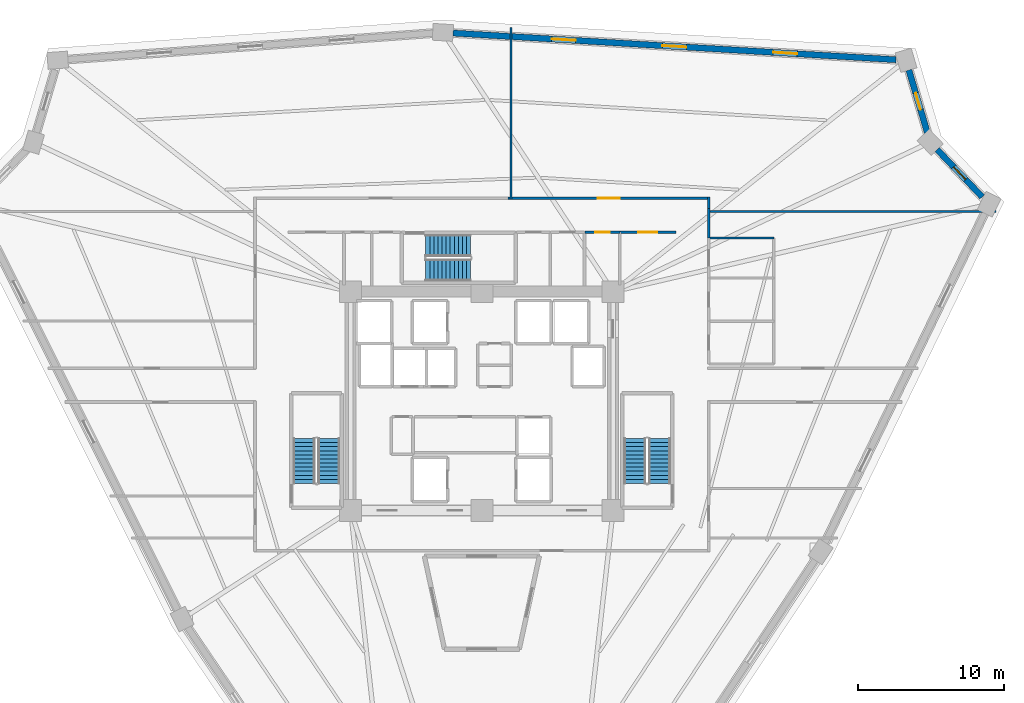
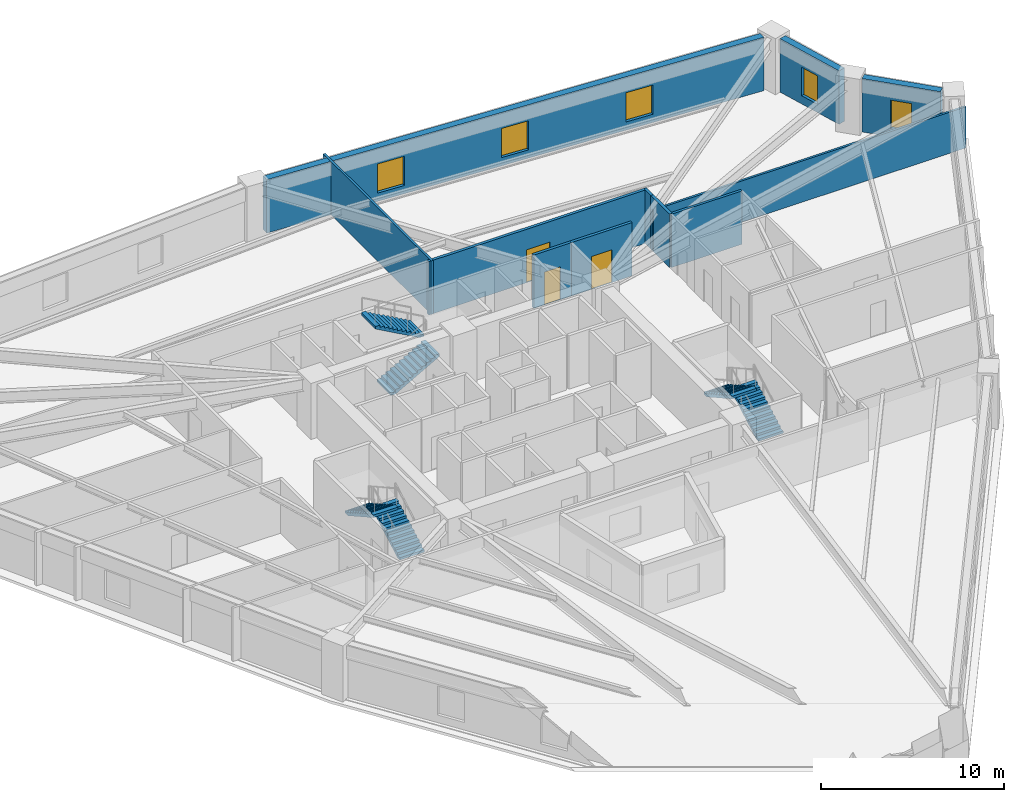
# One storey, part 7 of 10: 11 walls, 6 stair flights, 5 windows, 3 doors, 8 openings, 3 elements without a shape of their own.
"""IFC4 building model written with IfcOpenShell, lengths in metres."""

from ifc_helpers import new_model, si_unit, direction, frame, frame_2d, origin, place, context, subcontext, project, spatial, polyline, rectangle, outline, extrude, source, transform, mapped, material, layer, layer_set, type_object, element, fill, aggregate, save


model = new_model("IFC4")

# Units and contexts
model_context = context("Model", 3, precision=1e-05, world=origin(), true_north=direction((0.0, 1.0)))
body_context = subcontext(model_context, "Body", "Model", "MODEL_VIEW")
ifc_project = project(units=[si_unit("LENGTHUNIT", "METRE"), si_unit("AREAUNIT", "SQUARE_METRE"), si_unit("VOLUMEUNIT", "CUBIC_METRE"), si_unit("PLANEANGLEUNIT", "RADIAN"), si_unit("MASSUNIT", "GRAM", prefix="KILO")], contexts=[model_context])

# Site, building, storey
site_placement = place(None, origin())
site = spatial("IfcSite", under=ifc_project, at=site_placement, CompositionType="ELEMENT")
building_placement = place(site_placement, origin())
building = spatial("IfcBuilding", under=site, at=building_placement, Name="Liaohun Quay Tower", CompositionType="ELEMENT")
storey_placement = place(building_placement, frame((0.0, 0.0, 166.5)))
storey = spatial("IfcBuildingStorey", under=building, at=storey_placement, Name="L43", CompositionType="ELEMENT", Elevation=166.5)

# Wall, opening, window
ifc_material_1 = material(Name="Precast concrete C50 insulated sandwich", Category="concrete")
ifc_layer_1 = layer(ifc_material_1, 0.419921875, Name="Precast concrete C50 insulated sandwich", Category="concrete")
ifc_layer_set_1 = layer_set([ifc_layer_1], Name="Precast concrete C50 insulated sandwich")
wall_type_1 = type_object("IfcWallType", Name="WAL-EXT-Z12", PredefinedType="SOLIDWALL", material=ifc_layer_set_1)
wall_1_placement = place(storey_placement, frame((94.31103515625, 68.0029296875, 0.0), z_axis=(0.0, 0.0, 1.0), x_axis=(-0.689155878993, 0.724613120534, 0.0)))
wall_1 = element("IfcWall", 1, at=wall_1_placement, inside=storey, type_object=wall_type_1, Name="L43 Brutalist Precast Pier Wall 04", PredefinedType="SOLIDWALL", context=body_context, shape_type="SweptSolid", body=[
    extrude(rectangle(XDim=4.482421875, YDim=0.419921875, at=frame_2d((2.2412109375, 0.0))), origin(), (0.0, 0.0, 1.0), 3.570068359375),
])
shared_shape_1 = source(origin(), body_context, "Body", "SweptSolid", [
    extrude(rectangle(XDim=1.199951171875, YDim=1.89990234375, at=frame_2d((0.60009765625, 0.949951171875))), frame((0.0, 0.219970703125, 0.0), z_axis=(0.0, -1.0, 0.0), x_axis=(1.0, 0.0, 0.0)), (0.0, 0.0, 1.0), 0.43994140625),
])
opening_1_placement = place(wall_1_placement, frame((1.64111328125, 0.0, 0.550048828125)))
opening_1 = element("IfcOpeningElement", 2, at=opening_1_placement, cuts=wall_1, Name="Opening W05", PredefinedType="OPENING", context=body_context, shape_type="MappedRepresentation", body=[
    mapped(shared_shape_1, transform((0.0, 0.0, 0.0), x_axis=(1.0, 0.0, 0.0), y_axis=(0.0, 1.0, 0.0), z_axis=(0.0, 0.0, 1.0), scale=1.0)),
])
ifc_material_2 = material(Name="Triple Low-E corner notch glazing", Category="glass")
window_type_1 = type_object("IfcWindowType", Name="WIN-NOTCH", PartitioningType="SINGLE_PANEL", PredefinedType="WINDOW", material=ifc_material_2)
shared_shape_2 = source(origin(), body_context, "Body", "SweptSolid", [
    extrude(rectangle(XDim=1.199951171875, YDim=1.89990234375, at=frame_2d((0.60009765625, 0.949951171875))), frame((0.0, 0.030029296875, 0.0), z_axis=(0.0, -1.0, 0.0), x_axis=(1.0, 0.0, 0.0)), (0.0, 0.0, 1.0), 0.06005859375),
])
window_1_placement = place(opening_1_placement, origin())
window_1 = element("IfcWindow", 3, at=window_1_placement, inside=storey, type_object=window_type_1, Name="L43 Corner Notch Window W05-04", OverallHeight=1.89990234375, OverallWidth=1.199951171875, PartitioningType="SINGLE_PANEL", PredefinedType="WINDOW", context=body_context, shape_type="MappedRepresentation", body=[
    mapped(shared_shape_2, transform((0.0, 0.0, 0.0), x_axis=(1.0, 0.0, 0.0), y_axis=(0.0, 1.0, 0.0), z_axis=(0.0, 0.0, 1.0), scale=1.0)),
])
fill(opening_1, window_1)

wall_2_placement = place(storey_placement, frame((90.551025390625, 72.4130859375, 0.0), z_axis=(0.0, 0.0, 1.0), x_axis=(-0.28308162585, 0.959095820607, 0.0)))
wall_2 = element("IfcWall", 4, at=wall_2_placement, inside=storey, type_object=wall_type_1, Name="L43 Brutalist Precast Pier Wall 05", PredefinedType="SOLIDWALL", context=body_context, shape_type="SweptSolid", body=[
    extrude(rectangle(XDim=4.47607421875, YDim=0.419921875, at=frame_2d((2.238037109375, 0.0))), origin(), (0.0, 0.0, 1.0), 3.570068359375),
])
opening_2_placement = place(wall_2_placement, frame((1.637939453125, 0.0, 0.550048828125)))
opening_2 = element("IfcOpeningElement", 5, at=opening_2_placement, cuts=wall_2, Name="Opening W05", PredefinedType="OPENING", context=body_context, shape_type="MappedRepresentation", body=[
    mapped(shared_shape_1, transform((0.0, 0.0, 0.0), x_axis=(1.0, 0.0, 0.0), y_axis=(0.0, 1.0, 0.0), z_axis=(0.0, 0.0, 1.0), scale=1.0)),
])
window_2_placement = place(opening_2_placement, origin())
window_2 = element("IfcWindow", 6, at=window_2_placement, inside=storey, type_object=window_type_1, Name="L43 Corner Notch Window W05-05", OverallHeight=1.89990234375, OverallWidth=1.199951171875, PartitioningType="SINGLE_PANEL", PredefinedType="WINDOW", context=body_context, shape_type="MappedRepresentation", body=[
    mapped(shared_shape_2, transform((0.0, 0.0, 0.0), x_axis=(1.0, 0.0, 0.0), y_axis=(0.0, 1.0, 0.0), z_axis=(0.0, 0.0, 1.0), scale=1.0)),
])
fill(opening_2, window_2)

# Wall, openings, windows
wall_3_placement = place(storey_placement, frame((88.39990234375, 77.409912109375, 0.0), z_axis=(0.0, 0.0, 1.0), x_axis=(-0.998188812237, 0.060158915591, 0.0)))
wall_3 = element("IfcWall", 7, at=wall_3_placement, inside=storey, type_object=wall_type_1, Name="L43 Brutalist Precast Pier Wall 06", PredefinedType="SOLIDWALL", context=body_context, shape_type="SweptSolid", body=[
    extrude(rectangle(XDim=30.43701171875, YDim=0.419921875, at=frame_2d((15.218505859375, 0.0))), origin(), (0.0, 0.0, 1.0), 3.570068359375),
])
shared_shape_3 = source(origin(), body_context, "Body", "SweptSolid", [
    extrude(rectangle(XDim=1.64990234375, YDim=1.949951171875, at=frame_2d((0.824951171875, 0.97509765625))), frame((0.0, 0.219970703125, 0.0), z_axis=(0.0, -1.0, 0.0), x_axis=(1.0, 0.0, 0.0)), (0.0, 0.0, 1.0), 0.43994140625),
])
opening_3_placement = place(wall_3_placement, frame((6.783935546875, 0.0, 0.550048828125)))
opening_3 = element("IfcOpeningElement", 8, at=opening_3_placement, cuts=wall_3, Name="Opening W02", PredefinedType="OPENING", context=body_context, shape_type="MappedRepresentation", body=[
    mapped(shared_shape_3, transform((0.0, 0.0, 0.0), x_axis=(1.0, 0.0, 0.0), y_axis=(0.0, 1.0, 0.0), z_axis=(0.0, 0.0, 1.0), scale=1.0)),
])
opening_4_placement = place(wall_3_placement, frame((14.39404296875, 0.0, 0.550048828125)))
opening_4 = element("IfcOpeningElement", 9, at=opening_4_placement, cuts=wall_3, Name="Opening W02", PredefinedType="OPENING", context=body_context, shape_type="MappedRepresentation", body=[
    mapped(shared_shape_3, transform((0.0, 0.0, 0.0), x_axis=(1.0, 0.0, 0.0), y_axis=(0.0, 1.0, 0.0), z_axis=(0.0, 0.0, 1.0), scale=1.0)),
])
opening_5_placement = place(wall_3_placement, frame((22.0029296875, 0.0, 0.550048828125)))
opening_5 = element("IfcOpeningElement", 10, at=opening_5_placement, cuts=wall_3, Name="Opening W02", PredefinedType="OPENING", context=body_context, shape_type="MappedRepresentation", body=[
    mapped(shared_shape_3, transform((0.0, 0.0, 0.0), x_axis=(1.0, 0.0, 0.0), y_axis=(0.0, 1.0, 0.0), z_axis=(0.0, 0.0, 1.0), scale=1.0)),
])
ifc_material_3 = material(Name="Triple Low-E argon glazing in thermally broken aluminium", Category="aluminium")
window_type_2 = type_object("IfcWindowType", Name="WIN-PUN-Z2", PartitioningType="DOUBLE_PANEL_VERTICAL", PredefinedType="WINDOW", material=ifc_material_3)
shared_shape_4 = source(origin(), body_context, "Body", "SweptSolid", [
    extrude(rectangle(XDim=1.64990234375, YDim=1.949951171875, at=frame_2d((0.824951171875, 0.97509765625))), frame((0.0, 0.030029296875, 0.0), z_axis=(0.0, -1.0, 0.0), x_axis=(1.0, 0.0, 0.0)), (0.0, 0.0, 1.0), 0.06005859375),
])
window_3_placement = place(opening_3_placement, origin())
window_3 = element("IfcWindow", 11, at=window_3_placement, inside=storey, type_object=window_type_2, Name="L43 Recessed Cold-Climate Punched Window 06-1", OverallHeight=1.949951171875, OverallWidth=1.64990234375, PartitioningType="DOUBLE_PANEL_VERTICAL", PredefinedType="WINDOW", context=body_context, shape_type="MappedRepresentation", body=[
    mapped(shared_shape_4, transform((0.0, 0.0, 0.0), x_axis=(1.0, 0.0, 0.0), y_axis=(0.0, 1.0, 0.0), z_axis=(0.0, 0.0, 1.0), scale=1.0)),
])
fill(opening_3, window_3)
window_4_placement = place(opening_4_placement, origin())
window_4 = element("IfcWindow", 12, at=window_4_placement, inside=storey, type_object=window_type_2, Name="L43 Recessed Cold-Climate Punched Window 06-2", OverallHeight=1.949951171875, OverallWidth=1.64990234375, PartitioningType="DOUBLE_PANEL_VERTICAL", PredefinedType="WINDOW", context=body_context, shape_type="MappedRepresentation", body=[
    mapped(shared_shape_4, transform((0.0, 0.0, 0.0), x_axis=(1.0, 0.0, 0.0), y_axis=(0.0, 1.0, 0.0), z_axis=(0.0, 0.0, 1.0), scale=1.0)),
])
fill(opening_4, window_4)
window_5_placement = place(opening_5_placement, origin())
window_5 = element("IfcWindow", 13, at=window_5_placement, inside=storey, type_object=window_type_2, Name="L43 Recessed Cold-Climate Punched Window 06-3", OverallHeight=1.949951171875, OverallWidth=1.64990234375, PartitioningType="DOUBLE_PANEL_VERTICAL", PredefinedType="WINDOW", context=body_context, shape_type="MappedRepresentation", body=[
    mapped(shared_shape_4, transform((0.0, 0.0, 0.0), x_axis=(1.0, 0.0, 0.0), y_axis=(0.0, 1.0, 0.0), z_axis=(0.0, 0.0, 1.0), scale=1.0)),
])
fill(opening_5, window_5)

# Wall, opening, door
ifc_material_4 = material(Name="Autoclaved aerated concrete blockwork", Category="masonry")
ifc_layer_2 = layer(ifc_material_4, 0.179931640625, Name="Autoclaved aerated concrete blockwork", Category="masonry")
ifc_layer_set_2 = layer_set([ifc_layer_2], Name="Autoclaved aerated concrete blockwork")
wall_type_2 = type_object("IfcWallType", Name="WAL-PRT-COR", PredefinedType="PARTITIONING", material=ifc_layer_set_2)
wall_4_placement = place(storey_placement, frame((67.080078125, 65.580078125, 0.0), z_axis=(0.0, 0.0, 1.0), x_axis=(1.0, 0.0, 0.0)))
wall_4 = element("IfcWall", 14, at=wall_4_placement, inside=storey, type_object=wall_type_2, Name="L43 Interior Partition Wall 012", PredefinedType="PARTITIONING", context=body_context, shape_type="SweptSolid", body=[
    extrude(rectangle(XDim=2.3798828125, YDim=0.179931640625, at=frame_2d((1.18994140625, 0.0))), origin(), (0.0, 0.0, 1.0), 3.570068359375),
])
shared_shape_5 = source(origin(), body_context, "Body", "SweptSolid", [
    extrude(rectangle(XDim=1.0, YDim=2.199951171875, at=frame_2d((0.5, 1.10009765625))), frame((0.0, 0.099853515625, 0.0), z_axis=(0.0, -1.0, 0.0), x_axis=(1.0, 0.0, 0.0)), (0.0, 0.0, 1.0), 0.199951171875),
])
opening_6_placement = place(wall_4_placement, frame((0.68994140625, 0.0, 0.0)))
opening_6 = element("IfcOpeningElement", 15, at=opening_6_placement, cuts=wall_4, Name="Opening OD1", PredefinedType="OPENING", context=body_context, shape_type="MappedRepresentation", body=[
    mapped(shared_shape_5, transform((0.0, 0.0, 0.0), x_axis=(1.0, 0.0, 0.0), y_axis=(0.0, 1.0, 0.0), z_axis=(0.0, 0.0, 1.0), scale=1.0)),
])
ifc_material_5 = material(Name="Solid-core oak veneer timber leaf in steel frame", Category="steel")
door_type_1 = type_object("IfcDoorType", Name="DOR-OFF-1000", OperationType="NOTDEFINED", PredefinedType="DOOR", material=ifc_material_5)
shared_shape_6 = source(origin(), body_context, "Body", "SweptSolid", [
    extrude(rectangle(XDim=1.0, YDim=2.199951171875, at=frame_2d((0.5, 1.10009765625))), frame((0.0, 0.02490234375, 0.0), z_axis=(0.0, -1.0, 0.0), x_axis=(1.0, 0.0, 0.0)), (0.0, 0.0, 1.0), 0.050048828125),
])
door_1_placement = place(opening_6_placement, origin())
door_1 = element("IfcDoor", 16, at=door_1_placement, inside=storey, type_object=door_type_1, Name="L43 North-East Cleaner Store Door", OperationType="SINGLE_SWING_LEFT", OverallHeight=2.199951171875, OverallWidth=1.0, PredefinedType="DOOR", context=body_context, shape_type="MappedRepresentation", body=[
    mapped(shared_shape_6, transform((0.0, 0.0, 0.0), x_axis=(1.0, 0.0, 0.0), y_axis=(0.0, 1.0, 0.0), z_axis=(0.0, 0.0, 1.0), scale=1.0)),
])
fill(opening_6, door_1)

wall_5_placement = place(storey_placement, frame((69.4599609375, 65.580078125, 0.0), z_axis=(0.0, 0.0, 1.0), x_axis=(1.0, 0.0, 0.0)))
wall_5 = element("IfcWall", 17, at=wall_5_placement, inside=storey, type_object=wall_type_2, Name="L43 Interior Partition Wall 014", PredefinedType="PARTITIONING", context=body_context, shape_type="SweptSolid", body=[
    extrude(rectangle(XDim=3.840087890625, YDim=0.179931640625, at=frame_2d((1.919921875, 0.0))), origin(), (0.0, 0.0, 1.0), 3.570068359375),
])
shared_shape_7 = source(origin(), body_context, "Body", "SweptSolid", [
    extrude(rectangle(XDim=1.300048828125, YDim=2.199951171875, at=frame_2d((0.64990234375, 1.10009765625))), frame((0.0, 0.099853515625, 0.0), z_axis=(0.0, -1.0, 0.0), x_axis=(1.0, 0.0, 0.0)), (0.0, 0.0, 1.0), 0.199951171875),
])
opening_7_placement = place(wall_5_placement, frame((1.27001953125, 0.0, 0.0)))
opening_7 = element("IfcOpeningElement", 18, at=opening_7_placement, cuts=wall_5, Name="Opening FD1", PredefinedType="OPENING", context=body_context, shape_type="MappedRepresentation", body=[
    mapped(shared_shape_7, transform((0.0, 0.0, 0.0), x_axis=(1.0, 0.0, 0.0), y_axis=(0.0, 1.0, 0.0), z_axis=(0.0, 0.0, 1.0), scale=1.0)),
])
ifc_material_6 = material(Name="Galvanised steel smokeproof fire door", Category="steel")
door_type_2 = type_object("IfcDoorType", Name="DOR-FFL-1300", OperationType="NOTDEFINED", PredefinedType="DOOR", material=ifc_material_6)
shared_shape_8 = source(origin(), body_context, "Body", "SweptSolid", [
    extrude(rectangle(XDim=1.300048828125, YDim=2.199951171875, at=frame_2d((0.64990234375, 1.10009765625))), frame((0.0, 0.02490234375, 0.0), z_axis=(0.0, -1.0, 0.0), x_axis=(1.0, 0.0, 0.0)), (0.0, 0.0, 1.0), 0.050048828125),
])
door_2_placement = place(opening_7_placement, origin())
door_2 = element("IfcDoor", 19, at=door_2_placement, inside=storey, type_object=door_type_2, Name="L43 East Core Vestibule Door", OperationType="SINGLE_SWING_LEFT", OverallHeight=2.199951171875, OverallWidth=1.300048828125, PredefinedType="DOOR", context=body_context, shape_type="MappedRepresentation", body=[
    mapped(shared_shape_8, transform((0.0, 0.0, 0.0), x_axis=(1.0, 0.0, 0.0), y_axis=(0.0, 1.0, 0.0), z_axis=(0.0, 0.0, 1.0), scale=1.0)),
])
fill(opening_7, door_2)

wall_6_placement = place(storey_placement, frame((61.784912109375, 67.909912109375, 0.0), z_axis=(0.0, 0.0, 1.0), x_axis=(1.0, 0.0, 0.0)))
wall_6 = element("IfcWall", 20, at=wall_6_placement, inside=storey, type_object=wall_type_2, Name="L43 Interior Partition Wall 016", PredefinedType="PARTITIONING", context=body_context, shape_type="SweptSolid", body=[
    extrude(rectangle(XDim=13.844970703125, YDim=0.179931640625, at=frame_2d((6.92236328125, 0.0))), origin(), (0.0, 0.0, 1.0), 3.570068359375),
])
shared_shape_9 = source(origin(), body_context, "Body", "SweptSolid", [
    extrude(rectangle(XDim=1.5, YDim=2.199951171875, at=frame_2d((0.75, 1.10009765625))), frame((0.0, 0.099853515625, 0.0), z_axis=(0.0, -1.0, 0.0), x_axis=(1.0, 0.0, 0.0)), (0.0, 0.0, 1.0), 0.199951171875),
])
opening_8_placement = place(wall_6_placement, frame((6.172119140625, 0.0, 0.0)))
opening_8 = element("IfcOpeningElement", 21, at=opening_8_placement, cuts=wall_6, Name="Opening OD2", PredefinedType="OPENING", context=body_context, shape_type="MappedRepresentation", body=[
    mapped(shared_shape_9, transform((0.0, 0.0, 0.0), x_axis=(1.0, 0.0, 0.0), y_axis=(0.0, 1.0, 0.0), z_axis=(0.0, 0.0, 1.0), scale=1.0)),
])
ifc_material_7 = material(Name="Acoustic oak veneer double door")
door_type_3 = type_object("IfcDoorType", Name="DOR-OFF-1500", OperationType="DOUBLE_DOOR_SINGLE_SWING", PredefinedType="DOOR", material=ifc_material_7)
shared_shape_10 = source(origin(), body_context, "Body", "SweptSolid", [
    extrude(rectangle(XDim=1.5, YDim=2.199951171875, at=frame_2d((0.75, 1.10009765625))), frame((0.0, 0.02490234375, 0.0), z_axis=(0.0, -1.0, 0.0), x_axis=(1.0, 0.0, 0.0)), (0.0, 0.0, 1.0), 0.050048828125),
])
door_3_placement = place(opening_8_placement, origin())
door_3 = element("IfcDoor", 22, at=door_3_placement, inside=storey, type_object=door_type_3, Name="L43 Corporate Exhibition Gallery 02 Door", OperationType="DOUBLE_DOOR_SINGLE_SWING", OverallHeight=2.199951171875, OverallWidth=1.5, PredefinedType="DOOR", context=body_context, shape_type="MappedRepresentation", body=[
    mapped(shared_shape_10, transform((0.0, 0.0, 0.0), x_axis=(1.0, 0.0, 0.0), y_axis=(0.0, 1.0, 0.0), z_axis=(0.0, 0.0, 1.0), scale=1.0)),
])
fill(opening_8, door_3)

# Walls
wall_7_placement = place(storey_placement, frame((75.56005859375, 67.215087890625, 0.0), z_axis=(0.0, 0.0, 1.0), x_axis=(0.0, -1.0, 0.0)))
element("IfcWall", 23, at=wall_7_placement, inside=storey, type_object=wall_type_2, Name="L43 Interior Partition Wall 041", PredefinedType="PARTITIONING", context=body_context, shape_type="SweptSolid", body=[
    extrude(rectangle(XDim=2.03515625, YDim=0.179931640625, at=frame_2d((1.017578125, 0.0))), origin(), (0.0, 0.0, 1.0), 3.570068359375),
])
wall_8_placement = place(storey_placement, frame((75.56005859375, 67.97998046875, 0.0), z_axis=(0.0, 0.0, 1.0), x_axis=(0.0, -1.0, 0.0)))
element("IfcWall", 24, at=wall_8_placement, inside=storey, type_object=wall_type_2, Name="L43 Interior Partition Wall 042", PredefinedType="PARTITIONING", context=body_context, shape_type="SweptSolid", body=[
    extrude(rectangle(XDim=0.764892578125, YDim=0.179931640625, at=frame_2d((0.38232421875, 0.0))), origin(), (0.0, 0.0, 1.0), 3.570068359375),
])
ifc_material_8 = material(Name="Gypsum board on twin steel studs", Category="steel")
ifc_layer_3 = layer(ifc_material_8, 0.139892578125, Name="Gypsum board on twin steel studs", Category="steel")
ifc_layer_set_3 = layer_set([ifc_layer_3], Name="Gypsum board on twin steel studs")
wall_type_3 = type_object("IfcWallType", Name="WAL-PRT-OFF", PredefinedType="PARTITIONING", material=ifc_layer_set_3)
wall_9_placement = place(storey_placement, frame((75.4599609375, 67.0, 0.0), z_axis=(0.0, 0.0, 1.0), x_axis=(1.0, 0.0, 0.0)))
element("IfcWall", 25, at=wall_9_placement, inside=storey, type_object=wall_type_3, Name="L43 Interior Partition Wall 055", PredefinedType="PARTITIONING", context=body_context, shape_type="SweptSolid", body=[
    extrude(rectangle(XDim=19.783935546875, YDim=0.139892578125, at=frame_2d((9.89208984375, 0.0))), origin(), (0.0, 0.0, 1.0), 2.7548828125),
])
wall_10_placement = place(storey_placement, frame((62.0, 67.81005859375, 0.0), z_axis=(0.0, 0.0, 1.0), x_axis=(0.0, 1.0, 0.0)))
element("IfcWall", 26, at=wall_10_placement, inside=storey, type_object=wall_type_3, Name="L43 Interior Partition Wall 056", PredefinedType="PARTITIONING", context=body_context, shape_type="SweptSolid", body=[
    extrude(rectangle(XDim=11.822998046875, YDim=0.139892578125, at=frame_2d((5.91162109375, 0.0))), origin(), (0.0, 0.0, 1.0), 3.570068359375),
])
ifc_material_9 = material(Name="Moisture-resistant masonry blockwork", Category="masonry")
ifc_layer_4 = layer(ifc_material_9, 0.159912109375, Name="Moisture-resistant masonry blockwork", Category="masonry")
ifc_layer_set_4 = layer_set([ifc_layer_4], Name="Moisture-resistant masonry blockwork")
wall_type_4 = type_object("IfcWallType", Name="WAL-PRT-WET", PredefinedType="PARTITIONING", material=ifc_layer_set_4)
wall_11_placement = place(storey_placement, frame((75.56005859375, 65.179931640625, 0.0), z_axis=(0.0, 0.0, 1.0), x_axis=(1.0, 0.0, 0.0)))
element("IfcWall", 27, at=wall_11_placement, inside=storey, type_object=wall_type_4, Name="L43 Interior Partition Wall 035", PredefinedType="PARTITIONING", context=body_context, shape_type="SweptSolid", body=[
    extrude(rectangle(XDim=4.4599609375, YDim=0.159912109375, at=frame_2d((2.22998046875, 0.0))), origin(), (0.0, 0.0, 1.0), 3.570068359375),
])

# Stair, stair flights
ifc_material_10 = material(Name="Concrete C45", Category="concrete")
stair_type = type_object("IfcStairType", Name="STR-CORE-OFF", PredefinedType="HALF_TURN_STAIR", material=ifc_material_10)
stair_1_placement = place(storey_placement, origin())
stair_1 = element("IfcStair", 28, at=stair_1_placement, inside=storey, type_object=stair_type, Name="L43 Smokeproof Core Exit Stair ST-1", PredefinedType="HALF_TURN_STAIR")
stair_flight_type = type_object("IfcStairFlightType", Name="FLT-CORE-155", PredefinedType="STRAIGHT", material=ifc_material_10)
stair_flight_1_placement = place(storey_placement, frame((49.5048828125, 48.35009765625, 0.0), z_axis=(0.0, 0.0, 1.0), x_axis=(0.0, 1.0, 0.0)))
stair_flight_1 = element("IfcStairFlight", 29, at=stair_flight_1_placement, type_object=stair_flight_type, Name="ST-1 flight 1", NumberOfRisers=12, NumberOfTreads=11, PredefinedType="STRAIGHT", RiserHeight=0.15625, TreadLength=0.28, context=body_context, shape_type="SweptSolid", body=[
    extrude(outline(polyline([(0.0, 0.0), (0.0, 0.15625), (0.280029296875, 0.15625), (0.280029296875, 0.3125), (0.56005859375, 0.3125), (0.56005859375, 0.46875), (0.840087890625, 0.46875), (0.840087890625, 0.625), (1.1201171875, 0.625), (1.1201171875, 0.78125), (1.39990234375, 0.78125), (1.39990234375, 0.9375), (1.679931640625, 0.9375), (1.679931640625, 1.09375), (1.9599609375, 1.09375), (1.9599609375, 1.25), (2.239990234375, 1.25), (2.239990234375, 1.40625), (2.52001953125, 1.40625), (2.52001953125, 1.5625), (2.800048828125, 1.5625), (2.800048828125, 1.71875), (3.080078125, 1.71875), (3.080078125, 1.875), (3.080078125, 1.547119140625), (0.3076171875, 0.0), (0.0, 0.0)])), frame((0.0, 0.77490234375, 0.0), z_axis=(0.0, -1.0, 0.0), x_axis=(1.0, 0.0, 0.0)), (0.0, 0.0, 1.0), 1.550048828125),
])
stair_flight_2_placement = place(storey_placement, frame((47.81494140625, 51.429931640625, 1.875), z_axis=(0.0, 0.0, 1.0), x_axis=(0.0, -1.0, 0.0)))
stair_flight_2 = element("IfcStairFlight", 30, at=stair_flight_2_placement, type_object=stair_flight_type, Name="ST-1 flight 2", NumberOfRisers=12, NumberOfTreads=11, PredefinedType="STRAIGHT", RiserHeight=0.15625, TreadLength=0.28, context=body_context, shape_type="SweptSolid", body=[
    extrude(outline(polyline([(0.0, 0.0), (0.0, 0.15625), (0.280029296875, 0.15625), (0.280029296875, 0.3125), (0.56005859375, 0.3125), (0.56005859375, 0.46875), (0.840087890625, 0.46875), (0.840087890625, 0.625), (1.1201171875, 0.625), (1.1201171875, 0.78125), (1.39990234375, 0.78125), (1.39990234375, 0.9375), (1.679931640625, 0.9375), (1.679931640625, 1.09375), (1.9599609375, 1.09375), (1.9599609375, 1.25), (2.239990234375, 1.25), (2.239990234375, 1.40625), (2.52001953125, 1.40625), (2.52001953125, 1.5625), (2.800048828125, 1.5625), (2.800048828125, 1.71875), (3.080078125, 1.71875), (3.080078125, 1.875), (3.080078125, 1.547119140625), (0.3076171875, 0.0), (0.0, 0.0)])), frame((0.0, 0.77490234375, 0.0), z_axis=(0.0, -1.0, 0.0), x_axis=(1.0, 0.0, 0.0)), (0.0, 0.0, 1.0), 1.550048828125),
])
aggregate(stair_1, [stair_flight_1, stair_flight_2])

stair_2_placement = place(storey_placement, origin())
stair_2 = element("IfcStair", 31, at=stair_2_placement, inside=storey, type_object=stair_type, Name="L43 Smokeproof Core Exit Stair ST-2", PredefinedType="HALF_TURN_STAIR")
stair_flight_3_placement = place(storey_placement, frame((72.18505859375, 48.35009765625, 0.0), z_axis=(0.0, 0.0, 1.0), x_axis=(0.0, 1.0, 0.0)))
stair_flight_3 = element("IfcStairFlight", 32, at=stair_flight_3_placement, type_object=stair_flight_type, Name="ST-2 flight 1", NumberOfRisers=12, NumberOfTreads=11, PredefinedType="STRAIGHT", RiserHeight=0.15625, TreadLength=0.28, context=body_context, shape_type="SweptSolid", body=[
    extrude(outline(polyline([(0.0, 0.0), (0.0, 0.15625), (0.280029296875, 0.15625), (0.280029296875, 0.3125), (0.56005859375, 0.3125), (0.56005859375, 0.46875), (0.840087890625, 0.46875), (0.840087890625, 0.625), (1.1201171875, 0.625), (1.1201171875, 0.78125), (1.39990234375, 0.78125), (1.39990234375, 0.9375), (1.679931640625, 0.9375), (1.679931640625, 1.09375), (1.9599609375, 1.09375), (1.9599609375, 1.25), (2.239990234375, 1.25), (2.239990234375, 1.40625), (2.52001953125, 1.40625), (2.52001953125, 1.5625), (2.800048828125, 1.5625), (2.800048828125, 1.71875), (3.080078125, 1.71875), (3.080078125, 1.875), (3.080078125, 1.547119140625), (0.3076171875, 0.0), (0.0, 0.0)])), frame((0.0, 0.77490234375, 0.0), z_axis=(0.0, -1.0, 0.0), x_axis=(1.0, 0.0, 0.0)), (0.0, 0.0, 1.0), 1.550048828125),
])
stair_flight_4_placement = place(storey_placement, frame((70.4951171875, 51.429931640625, 1.875), z_axis=(0.0, 0.0, 1.0), x_axis=(0.0, -1.0, 0.0)))
stair_flight_4 = element("IfcStairFlight", 33, at=stair_flight_4_placement, type_object=stair_flight_type, Name="ST-2 flight 2", NumberOfRisers=12, NumberOfTreads=11, PredefinedType="STRAIGHT", RiserHeight=0.15625, TreadLength=0.28, context=body_context, shape_type="SweptSolid", body=[
    extrude(outline(polyline([(0.0, 0.0), (0.0, 0.15625), (0.280029296875, 0.15625), (0.280029296875, 0.3125), (0.56005859375, 0.3125), (0.56005859375, 0.46875), (0.840087890625, 0.46875), (0.840087890625, 0.625), (1.1201171875, 0.625), (1.1201171875, 0.78125), (1.39990234375, 0.78125), (1.39990234375, 0.9375), (1.679931640625, 0.9375), (1.679931640625, 1.09375), (1.9599609375, 1.09375), (1.9599609375, 1.25), (2.239990234375, 1.25), (2.239990234375, 1.40625), (2.52001953125, 1.40625), (2.52001953125, 1.5625), (2.800048828125, 1.5625), (2.800048828125, 1.71875), (3.080078125, 1.71875), (3.080078125, 1.875), (3.080078125, 1.547119140625), (0.3076171875, 0.0), (0.0, 0.0)])), frame((0.0, 0.77490234375, 0.0), z_axis=(0.0, -1.0, 0.0), x_axis=(1.0, 0.0, 0.0)), (0.0, 0.0, 1.0), 1.550048828125),
])
aggregate(stair_2, [stair_flight_3, stair_flight_4])

stair_3_placement = place(storey_placement, origin())
stair_3 = element("IfcStair", 34, at=stair_3_placement, inside=storey, type_object=stair_type, Name="L43 Smokeproof Core Exit Stair ST-3", PredefinedType="HALF_TURN_STAIR")
stair_flight_5_placement = place(storey_placement, frame((56.14990234375, 62.97509765625, 0.0), z_axis=(0.0, 0.0, 1.0), x_axis=(1.0, 0.0, 0.0)))
stair_flight_5 = element("IfcStairFlight", 35, at=stair_flight_5_placement, type_object=stair_flight_type, Name="ST-3 flight 1", NumberOfRisers=12, NumberOfTreads=11, PredefinedType="STRAIGHT", RiserHeight=0.15625, TreadLength=0.28, context=body_context, shape_type="SweptSolid", body=[
    extrude(outline(polyline([(0.0, 0.0), (0.0, 0.15625), (0.280029296875, 0.15625), (0.280029296875, 0.3125), (0.56005859375, 0.3125), (0.56005859375, 0.46875), (0.840087890625, 0.46875), (0.840087890625, 0.625), (1.1201171875, 0.625), (1.1201171875, 0.78125), (1.39990234375, 0.78125), (1.39990234375, 0.9375), (1.679931640625, 0.9375), (1.679931640625, 1.09375), (1.9599609375, 1.09375), (1.9599609375, 1.25), (2.239990234375, 1.25), (2.239990234375, 1.40625), (2.52001953125, 1.40625), (2.52001953125, 1.5625), (2.800048828125, 1.5625), (2.800048828125, 1.71875), (3.080078125, 1.71875), (3.080078125, 1.875), (3.080078125, 1.547119140625), (0.3076171875, 0.0), (0.0, 0.0)])), frame((0.0, 0.77490234375, 0.0), z_axis=(0.0, -1.0, 0.0), x_axis=(1.0, 0.0, 0.0)), (0.0, 0.0, 1.0), 1.550048828125),
])
stair_flight_6_placement = place(storey_placement, frame((59.22998046875, 64.6650390625, 1.875), z_axis=(0.0, 0.0, 1.0), x_axis=(-1.0, 0.0, 0.0)))
stair_flight_6 = element("IfcStairFlight", 36, at=stair_flight_6_placement, type_object=stair_flight_type, Name="ST-3 flight 2", NumberOfRisers=12, NumberOfTreads=11, PredefinedType="STRAIGHT", RiserHeight=0.15625, TreadLength=0.28, context=body_context, shape_type="SweptSolid", body=[
    extrude(outline(polyline([(0.0, 0.0), (0.0, 0.15625), (0.280029296875, 0.15625), (0.280029296875, 0.3125), (0.56005859375, 0.3125), (0.56005859375, 0.46875), (0.840087890625, 0.46875), (0.840087890625, 0.625), (1.1201171875, 0.625), (1.1201171875, 0.78125), (1.39990234375, 0.78125), (1.39990234375, 0.9375), (1.679931640625, 0.9375), (1.679931640625, 1.09375), (1.9599609375, 1.09375), (1.9599609375, 1.25), (2.239990234375, 1.25), (2.239990234375, 1.40625), (2.52001953125, 1.40625), (2.52001953125, 1.5625), (2.800048828125, 1.5625), (2.800048828125, 1.71875), (3.080078125, 1.71875), (3.080078125, 1.875), (3.080078125, 1.547119140625), (0.3076171875, 0.0), (0.0, 0.0)])), frame((0.0, 0.77490234375, 0.0), z_axis=(0.0, -1.0, 0.0), x_axis=(1.0, 0.0, 0.0)), (0.0, 0.0, 1.0), 1.550048828125),
])
aggregate(stair_3, [stair_flight_5, stair_flight_6])

save(model, "model.ifc")
